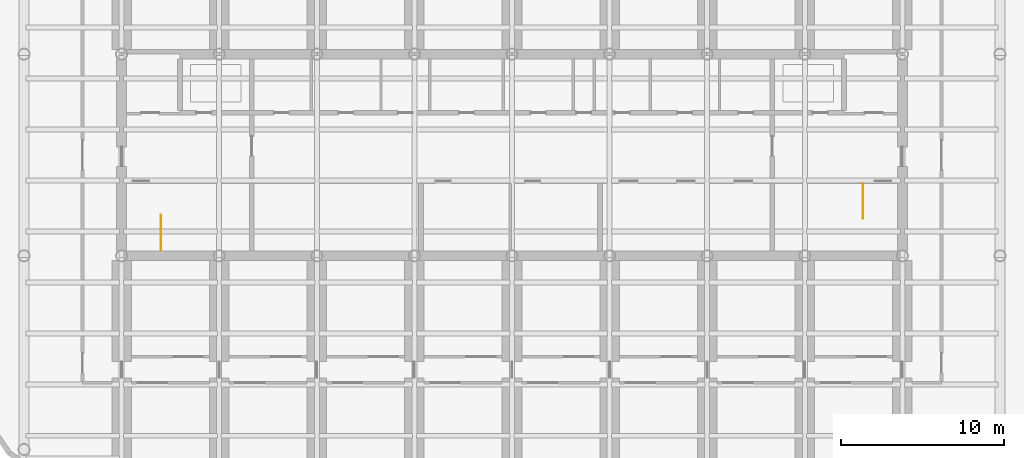
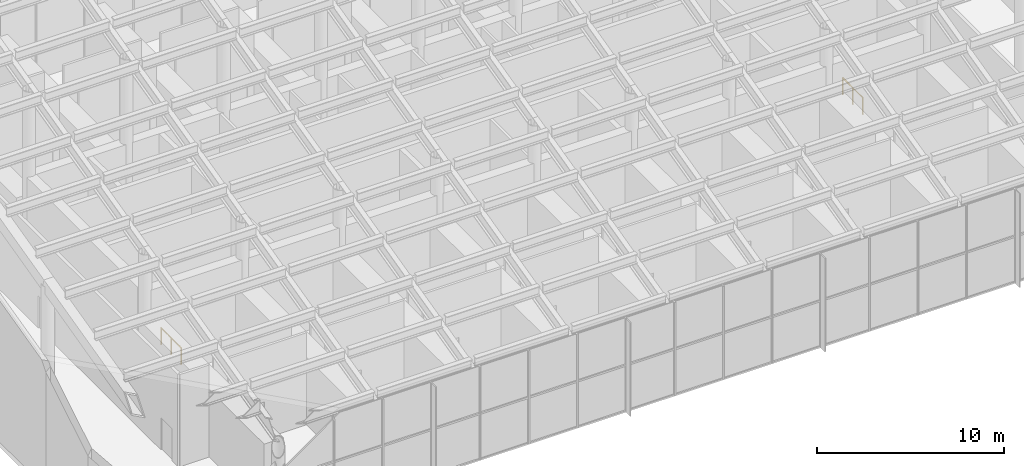
# One storey, part 14 of 14: 2 railings.
"""IFC4 building model written with IfcOpenShell, lengths in metres."""

from ifc_helpers import new_model, si_unit, direction, frame, origin, origin_2d, place, context, subcontext, project, spatial, circle, extrude, material, type_object, element, save


model = new_model("IFC4")

# Units and contexts
model_context = context("Model", 3, precision=1e-05, world=origin(), true_north=direction((0.0, 1.0)))
body_context = subcontext(model_context, "Body", "Model", "MODEL_VIEW")
ifc_project = project(units=[si_unit("LENGTHUNIT", "METRE"), si_unit("AREAUNIT", "SQUARE_METRE"), si_unit("VOLUMEUNIT", "CUBIC_METRE"), si_unit("PLANEANGLEUNIT", "RADIAN"), si_unit("MASSUNIT", "GRAM", prefix="KILO")], contexts=[model_context])

# Site, building, storey
site_placement = place(None, origin())
site = spatial("IfcSite", under=ifc_project, at=site_placement, CompositionType="ELEMENT")
building_placement = place(site_placement, origin())
building = spatial("IfcBuilding", under=site, at=building_placement, Name="Orbita Commons", CompositionType="ELEMENT")
storey_placement = place(building_placement, frame((0.0, 0.0, 262.300048828125)))
storey = spatial("IfcBuildingStorey", under=building, at=storey_placement, Name="L65", CompositionType="ELEMENT", Elevation=262.300048828125)

# Railings
ifc_material = material(Name="Steel balustrade, painted", Category="steel")
railing_type = type_object("IfcRailingType", Name="Stair landing guard, steel balustrade 1100", PredefinedType="GUARDRAIL", material=ifc_material)
railing_1_placement = place(storey_placement, frame((20.419921875, 26.14990234375, 0.0)))
element("IfcRailing", 1, at=railing_1_placement, inside=storey, type_object=railing_type, Name="Stair S1 head landing guard L65", PredefinedType="GUARDRAIL", context=body_context, shape_type="SweptSolid", body=[
    extrude(circle(Radius=0.02490234375, at=origin_2d()), frame((0.0, 0.0, 1.0751953125), z_axis=(0.0, 1.0, 0.0), x_axis=(-1.0, 0.0, 0.0)), (0.0, 0.0, 1.0), 2.150146484375),
    extrude(circle(Radius=0.02490234375, at=origin_2d()), origin(), (0.0, 0.0, 1.0), 1.050048828125),
    extrude(circle(Radius=0.02490234375, at=origin_2d()), frame((0.0, 1.0751953125, 0.0)), (0.0, 0.0, 1.0), 1.050048828125),
    extrude(circle(Radius=0.02490234375, at=origin_2d()), frame((0.0, 2.150146484375, 0.0)), (0.0, 0.0, 1.0), 1.050048828125),
])
railing_2_placement = place(storey_placement, frame((63.580078125, 28.10009765625, 0.0)))
element("IfcRailing", 2, at=railing_2_placement, inside=storey, type_object=railing_type, Name="Stair S2 head landing guard L65", PredefinedType="GUARDRAIL", context=body_context, shape_type="SweptSolid", body=[
    extrude(circle(Radius=0.02490234375, at=origin_2d()), frame((0.0, 0.0, 1.0751953125), z_axis=(0.0, 1.0, 0.0), x_axis=(-1.0, 0.0, 0.0)), (0.0, 0.0, 1.0), 2.14990234375),
    extrude(circle(Radius=0.02490234375, at=origin_2d()), origin(), (0.0, 0.0, 1.0), 1.050048828125),
    extrude(circle(Radius=0.02490234375, at=origin_2d()), frame((0.0, 1.074951171875, 0.0)), (0.0, 0.0, 1.0), 1.050048828125),
    extrude(circle(Radius=0.02490234375, at=origin_2d()), frame((0.0, 2.14990234375, 0.0)), (0.0, 0.0, 1.0), 1.050048828125),
])

save(model, "model.ifc")
